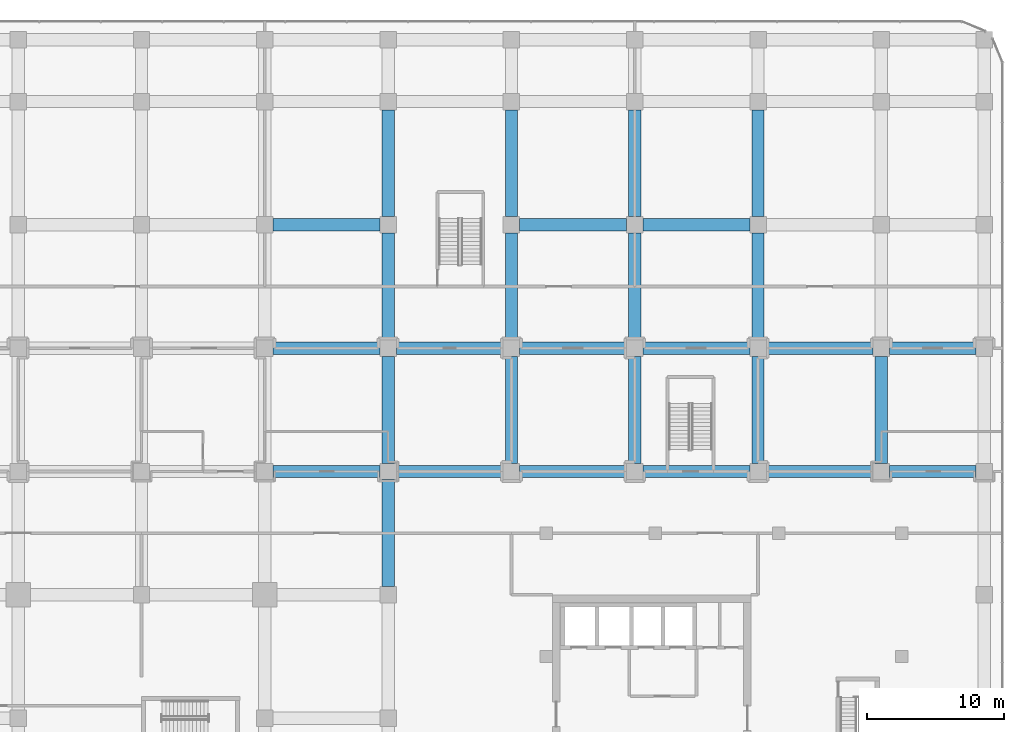
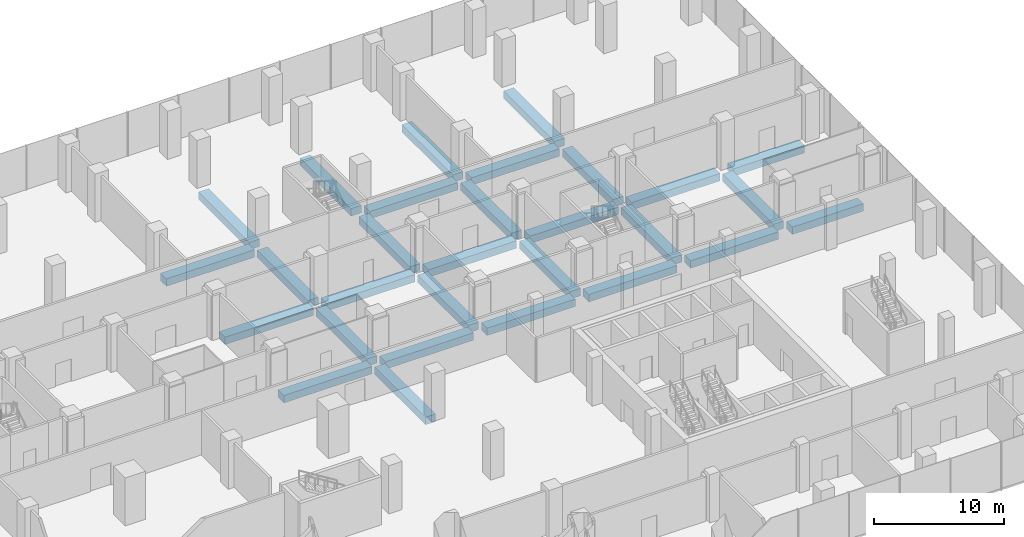
# One storey, part 17 of 43: 29 beams.
"""IFC4 building model written with IfcOpenShell, lengths in metres."""

from ifc_helpers import new_model, si_unit, direction, frame, origin, origin_2d, place, context, subcontext, project, spatial, rectangle, extrude, material, material_profile, profile_set, type_object, element, save


model = new_model("IFC4")

# Units and contexts
model_context = context("Model", 3, precision=1e-05, world=origin(), true_north=direction((0.0, 1.0)))
body_context = subcontext(model_context, "Body", "Model", "MODEL_VIEW")
ifc_project = project(units=[si_unit("LENGTHUNIT", "METRE"), si_unit("AREAUNIT", "SQUARE_METRE"), si_unit("VOLUMEUNIT", "CUBIC_METRE"), si_unit("PLANEANGLEUNIT", "RADIAN"), si_unit("MASSUNIT", "GRAM", prefix="KILO")], contexts=[model_context])

# Site, building, storey
site_placement = place(None, origin())
site = spatial("IfcSite", under=ifc_project, at=site_placement, CompositionType="ELEMENT")
building_placement = place(site_placement, origin())
building = spatial("IfcBuilding", under=site, at=building_placement, Name="Plateau Cross Towers", CompositionType="ELEMENT")
storey_placement = place(building_placement, frame((0.0, 0.0, 17.300048828125)))
storey = spatial("IfcBuildingStorey", under=building, at=storey_placement, Name="L03", CompositionType="ELEMENT", Elevation=17.300048828125)

# Beams
ifc_material = material(Name="Concrete C50/60", Category="concrete")
ifc_material_profile = material_profile(ifc_material, rectangle(XDim=0.89990234375, YDim=0.699951171875, at=origin_2d()), Name="RC 900x700")
ifc_profile_set = profile_set([ifc_material_profile], Name="Concrete C50/60")
beam_type = type_object("IfcBeamType", Name="Podium band beam RC 900x700", PredefinedType="BEAM", material=ifc_profile_set)
for number, where, z_axis, x_axis, name in (
    (1, (54.60009765625, 27.0, -0.699951171875), (1.0, 0.0, 0.0), (0.0, 1.0, 0.0), "PB39@L03"),
    (2, (63.60009765625, 27.0, -0.699951171875), (1.0, 0.0, 0.0), (0.0, 1.0, 0.0), "PB40@L03"),
    (3, (72.60009765625, 27.0, -0.699951171875), (1.0, 0.0, 0.0), (0.0, 1.0, 0.0), "PB41@L03"),
    (4, (81.60009765625, 27.0, -0.699951171875), (1.0, 0.0, 0.0), (0.0, 1.0, 0.0), "PB42@L03"),
    (5, (90.60009765625, 27.0, -0.699951171875), (1.0, 0.0, 0.0), (0.0, 1.0, 0.0), "PB43@L03"),
):
    element("IfcBeam", number, at=place(storey_placement, frame(where, z_axis=z_axis, x_axis=x_axis)), inside=storey, type_object=beam_type, Name=name, PredefinedType="BEAM", context=body_context, shape_type="SweptSolid", body=[
        extrude(rectangle(XDim=0.89990234375, YDim=0.699951171875, at=origin_2d()), origin(), (0.0, 0.0, 1.0), 7.7998046875),
    ])
beam_1_placement = place(storey_placement, frame((99.60009765625, 27.0, -0.699951171875), z_axis=(1.0, 0.0, 0.0), x_axis=(0.0, 1.0, 0.0)))
element("IfcBeam", 6, at=beam_1_placement, inside=storey, type_object=beam_type, Name="PB44@L03", PredefinedType="BEAM", context=body_context, shape_type="SweptSolid", body=[
    extrude(rectangle(XDim=0.89990234375, YDim=0.699951171875, at=origin_2d()), origin(), (0.0, 0.0, 1.0), 6.2998046875),
])
for number, where, z_axis, x_axis, name in (
    (7, (54.60009765625, 36.0, -0.699951171875), (1.0, 0.0, 0.0), (0.0, 1.0, 0.0), "PB52@L03"),
    (8, (63.60009765625, 36.0, -0.699951171875), (1.0, 0.0, 0.0), (0.0, 1.0, 0.0), "PB53@L03"),
    (9, (72.60009765625, 36.0, -0.699951171875), (1.0, 0.0, 0.0), (0.0, 1.0, 0.0), "PB54@L03"),
    (10, (81.60009765625, 36.0, -0.699951171875), (1.0, 0.0, 0.0), (0.0, 1.0, 0.0), "PB55@L03"),
    (11, (90.60009765625, 36.0, -0.699951171875), (1.0, 0.0, 0.0), (0.0, 1.0, 0.0), "PB56@L03"),
):
    element("IfcBeam", number, at=place(storey_placement, frame(where, z_axis=z_axis, x_axis=x_axis)), inside=storey, type_object=beam_type, Name=name, PredefinedType="BEAM", context=body_context, shape_type="SweptSolid", body=[
        extrude(rectangle(XDim=0.89990234375, YDim=0.699951171875, at=origin_2d()), origin(), (0.0, 0.0, 1.0), 7.7998046875),
    ])
beam_2_placement = place(storey_placement, frame((99.60009765625, 36.0, -0.699951171875), z_axis=(1.0, 0.0, 0.0), x_axis=(0.0, 1.0, 0.0)))
element("IfcBeam", 12, at=beam_2_placement, inside=storey, type_object=beam_type, Name="PB57@L03", PredefinedType="BEAM", context=body_context, shape_type="SweptSolid", body=[
    extrude(rectangle(XDim=0.89990234375, YDim=0.699951171875, at=origin_2d()), origin(), (0.0, 0.0, 1.0), 6.2998046875),
])
for number, where, z_axis, x_axis, name in (
    (13, (54.60009765625, 45.0, -0.699951171875), (1.0, 0.0, 0.0), (0.0, 1.0, 0.0), "PB62@L03"),
    (14, (72.60009765625, 45.0, -0.699951171875), (1.0, 0.0, 0.0), (0.0, 1.0, 0.0), "PB63@L03"),
    (15, (81.60009765625, 45.0, -0.699951171875), (1.0, 0.0, 0.0), (0.0, 1.0, 0.0), "PB64@L03"),
    (16, (63.0, 18.60009765625, -0.699951171875), (0.0, 1.0, 0.0), (-1.0, 0.0, 0.0), "PB152@L03"),
    (17, (63.0, 27.60009765625, -0.699951171875), (0.0, 1.0, 0.0), (-1.0, 0.0, 0.0), "PB153@L03"),
    (18, (63.0, 36.60009765625, -0.699951171875), (0.0, 1.0, 0.0), (-1.0, 0.0, 0.0), "PB154@L03"),
    (19, (63.0, 45.60009765625, -0.699951171875), (0.0, 1.0, 0.0), (-1.0, 0.0, 0.0), "PB155@L03"),
    (20, (72.0, 27.60009765625, -0.699951171875), (0.0, 1.0, 0.0), (-1.0, 0.0, 0.0), "PB157@L03"),
    (21, (72.0, 36.60009765625, -0.699951171875), (0.0, 1.0, 0.0), (-1.0, 0.0, 0.0), "PB158@L03"),
    (22, (72.0, 45.60009765625, -0.699951171875), (0.0, 1.0, 0.0), (-1.0, 0.0, 0.0), "PB159@L03"),
    (23, (81.0, 27.60009765625, -0.699951171875), (0.0, 1.0, 0.0), (-1.0, 0.0, 0.0), "PB161@L03"),
    (24, (81.0, 36.60009765625, -0.699951171875), (0.0, 1.0, 0.0), (-1.0, 0.0, 0.0), "PB162@L03"),
    (25, (81.0, 45.60009765625, -0.699951171875), (0.0, 1.0, 0.0), (-1.0, 0.0, 0.0), "PB163@L03"),
    (26, (90.0, 27.60009765625, -0.699951171875), (0.0, 1.0, 0.0), (-1.0, 0.0, 0.0), "PB165@L03"),
    (27, (90.0, 36.60009765625, -0.699951171875), (0.0, 1.0, 0.0), (-1.0, 0.0, 0.0), "PB166@L03"),
    (28, (90.0, 45.60009765625, -0.699951171875), (0.0, 1.0, 0.0), (-1.0, 0.0, 0.0), "PB167@L03"),
    (29, (99.0, 27.60009765625, -0.699951171875), (0.0, 1.0, 0.0), (-1.0, 0.0, 0.0), "PB169@L03"),
):
    element("IfcBeam", number, at=place(storey_placement, frame(where, z_axis=z_axis, x_axis=x_axis)), inside=storey, type_object=beam_type, Name=name, PredefinedType="BEAM", context=body_context, shape_type="SweptSolid", body=[
        extrude(rectangle(XDim=0.89990234375, YDim=0.699951171875, at=origin_2d()), origin(), (0.0, 0.0, 1.0), 7.7998046875),
    ])

save(model, "model.ifc")
